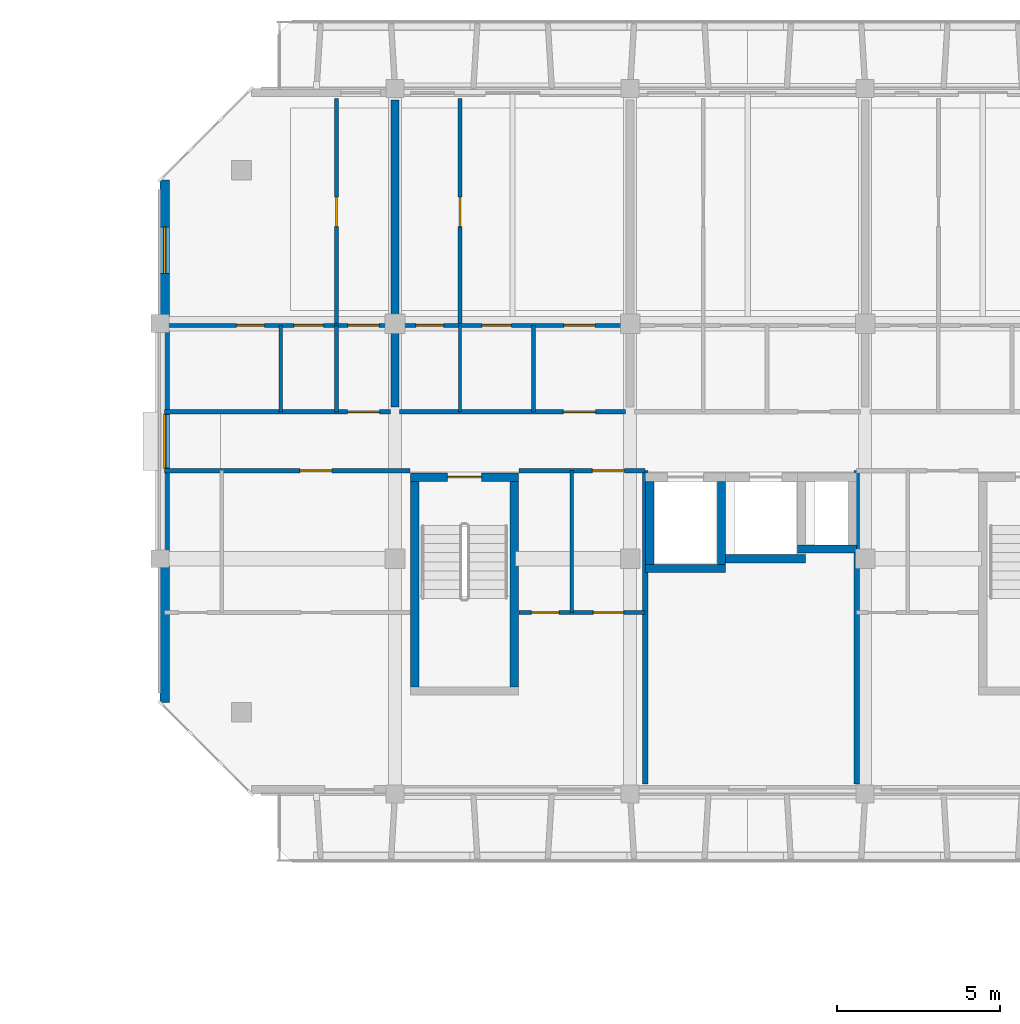
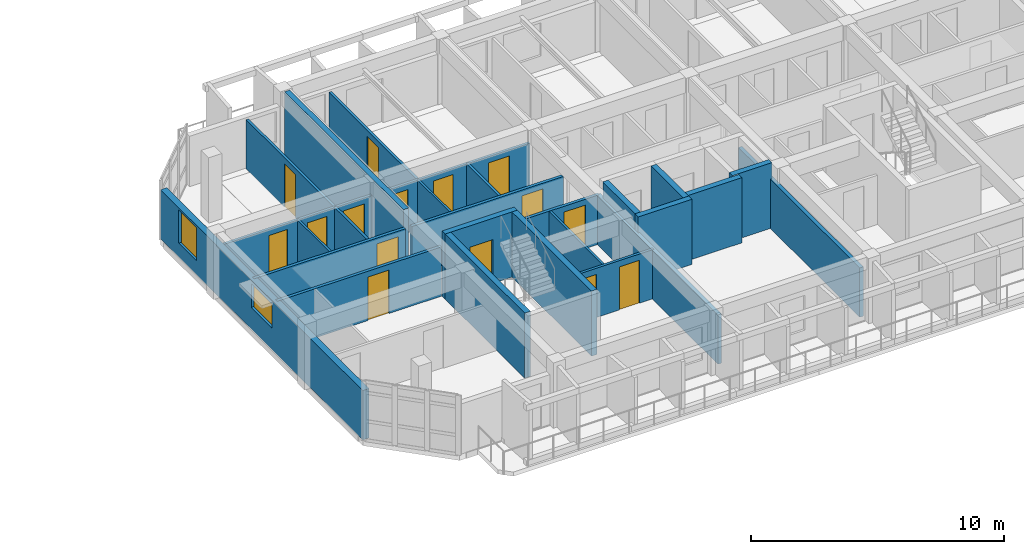
# One storey, part 44 of 64: 26 walls, 15 doors, 2 windows, 17 openings.
"""IFC4 building model written with IfcOpenShell, lengths in metres."""

import ifcopenshell
import ifcopenshell.guid

model = None  # the IFC model being written
_history = None  # IfcOwnerHistory: only IFC2X3 demands one
_inside = {}  # id of a spatial element -> (the spatial element, [elements in it])
_under = {}  # id of a project, library or spatial element -> (it, [spatial elements below it])
_declared = {}  # id of a project -> (the project, [libraries it declares])
_typed = {}  # id of a type object -> (the type object, [elements of that type])
_made_of = {}  # id of a material, layer set ... -> (it, [elements and type objects made of it])


def new_model(schema):
    """Start an empty IFC model of exactly this schema.

    Asked for "IFC4X3", IfcOpenShell would pick the latest addendum, in which some entities
    have other attributes; the version numbers below select the first issue.
    IFC2X3 requires an IfcOwnerHistory on every rooted entity: one is made here for all.
    """
    global model, _history
    if schema == "IFC4X3":
        model = ifcopenshell.file(schema_version=(4, 3, 0, 0))
    else:
        model = ifcopenshell.file(schema=schema)
    _inside.clear()
    _under.clear()
    _declared.clear()
    _typed.clear()
    _made_of.clear()
    _history = None
    if model.schema == "IFC2X3":
        org = make("IfcOrganization", Name="unknown")
        user = make(
            "IfcPersonAndOrganization",
            ThePerson=make("IfcPerson", FamilyName="unknown"),
            TheOrganization=org,
        )
        app = make(
            "IfcApplication",
            ApplicationDeveloper=org,
            Version="unknown",
            ApplicationFullName="unknown",
            ApplicationIdentifier="unknown",
        )
        _history = make(
            "IfcOwnerHistory",
            OwningUser=user,
            OwningApplication=app,
            ChangeAction="ADDED",
            CreationDate=0,
        )
    return model


def make(cls, **values):
    """One entity of the class cls with the attributes given. An attribute that is None is left unset."""
    return model.create_entity(
        cls, **{name: value for name, value in values.items() if value is not None}
    )


def rooted(cls, **values):
    """An entity with a GlobalId (a new one), such as an element, a storey or a relation."""
    return make(cls, GlobalId=ifcopenshell.guid.new(), OwnerHistory=_history, **values)


def si_unit(unit_type, name, prefix=None):
    """IfcSIUnit, for example si_unit("LENGTHUNIT", "METRE", prefix="MILLI")."""
    return make("IfcSIUnit", UnitType=unit_type, Prefix=prefix, Name=name)


def assignment(units):
    """IfcUnitAssignment: the units of a project."""
    return None if units is None else make("IfcUnitAssignment", Units=units)


def point(xyz):
    """IfcCartesianPoint."""
    return None if xyz is None else make("IfcCartesianPoint", Coordinates=xyz)


def direction(xyz):
    """IfcDirection."""
    return None if xyz is None else make("IfcDirection", DirectionRatios=xyz)


def frame(location, z_axis=None, x_axis=None):
    """IfcAxis2Placement3D, a coordinate frame: its origin and axes. An axis left out is left unset."""
    return make(
        "IfcAxis2Placement3D",
        Location=point(location),
        Axis=direction(z_axis),
        RefDirection=direction(x_axis),
    )


def frame_2d(location, x_axis=None):
    """IfcAxis2Placement2D, a coordinate frame in the plane: its origin and x axis."""
    return make(
        "IfcAxis2Placement2D", Location=point(location), RefDirection=direction(x_axis)
    )


def origin():
    """The frame at (0, 0, 0) with its axes left unset."""
    return frame((0.0, 0.0, 0.0))


def place(relative_to, where):
    """IfcLocalPlacement: puts the frame where relative to a parent placement (None: the world)."""
    return make(
        "IfcLocalPlacement", PlacementRelTo=relative_to, RelativePlacement=where
    )


def context(
    kind, dimensions, precision=None, world=None, true_north=None, identifier=None
):
    """IfcGeometricRepresentationContext, for example the 3D "Model" context."""
    return make(
        "IfcGeometricRepresentationContext",
        ContextIdentifier=identifier,
        ContextType=kind,
        CoordinateSpaceDimension=dimensions,
        Precision=precision,
        WorldCoordinateSystem=world,
        TrueNorth=true_north,
    )


def subcontext(parent, identifier, kind, view, scale=None):
    """IfcGeometricRepresentationSubContext, for example "Body" below "Model"."""
    return make(
        "IfcGeometricRepresentationSubContext",
        ContextIdentifier=identifier,
        ContextType=kind,
        ParentContext=parent,
        TargetScale=scale,
        TargetView=view,
    )


def project(units=None, contexts=None):
    """IfcProject with its units and contexts."""
    return rooted(
        "IfcProject",
        Name="project",
        RepresentationContexts=contexts,
        UnitsInContext=assignment(units),
    )


def spatial(cls, under=None, at=None, **own):
    """A site, building, storey or space (cls), placed at a placement, below another one or the project."""
    s = rooted(cls, ObjectPlacement=at, **own)
    if under is not None:
        _under.setdefault(under.id(), (under, []))[1].append(s)
    return s


def profile(cls, at=None, kind="AREA", **sizes):
    """A parametric profile (cls). Its sizes go by their IFC names, for example OverallWidth=200.0."""
    return make(cls, ProfileType=kind, Position=at, **sizes)


def rectangle(**sizes):
    """IfcRectangleProfileDef."""
    return profile("IfcRectangleProfileDef", **sizes)


def extrude(swept, where, along, depth):
    """IfcExtrudedAreaSolid: the profile swept, set in the frame where, extruded along a direction by depth."""
    return make(
        "IfcExtrudedAreaSolid",
        SweptArea=swept,
        Position=where,
        ExtrudedDirection=direction(along),
        Depth=depth,
    )


def shape(context_of_items, identifier, shape_type, items):
    """IfcShapeRepresentation: the items that make up one representation, for example the "Body"."""
    return make(
        "IfcShapeRepresentation",
        ContextOfItems=context_of_items,
        RepresentationIdentifier=identifier,
        RepresentationType=shape_type,
        Items=items,
    )


def material(Name=None, Category=None):
    """IfcMaterial."""
    return make("IfcMaterial", Name=Name, Category=Category)


def layer(
    of_material, thickness, ventilated=None, Name=None, Category=None, Priority=None
):
    """IfcMaterialLayer: one layer of a wall or slab, of a material (None: an air gap)."""
    return make(
        "IfcMaterialLayer",
        Material=of_material,
        LayerThickness=thickness,
        IsVentilated=ventilated,
        Name=Name,
        Category=Category,
        Priority=Priority,
    )


def layer_set(layers, Name=None):
    """IfcMaterialLayerSet."""
    return make("IfcMaterialLayerSet", MaterialLayers=layers, LayerSetName=Name)


def made_of(thing, what):
    """Note that an element or type object is made of a material, layer set ...; save() writes the relation."""
    if what is not None:
        _made_of.setdefault(what.id(), (what, []))[1].append(thing)
    return thing


def type_object(cls, material=None, **own):
    """A type object (cls), such as IfcWallType, which elements share."""
    return made_of(rooted(cls, **own), material)


def element(
    cls,
    number,
    at=None,
    inside=None,
    cuts=None,
    type_object=None,
    material=None,
    context=None,
    identifier="Body",
    shape_type=None,
    held_by="IfcProductDefinitionShape",
    body=None,
    shapes=None,
    **own,
):
    """One element of the class cls, such as IfcWall. Its Tag is "e" and its number.

    at: its placement. inside: the storey or other place that contains it. cuts: it is an
    opening in that element (IfcRelVoidsElement). A single representation is given by context,
    identifier, shape_type and body (its items); several are given by shapes. held_by: the class
    of the entity that holds the representations. save() writes the other relations.
    """
    e = rooted(cls, Tag="e%d" % number, ObjectPlacement=at, **own)
    if body is not None:
        shapes = [shape(context, identifier, shape_type, body)]
    if shapes is not None:
        e.Representation = make(held_by, Representations=shapes)
    if inside is not None:
        _inside.setdefault(inside.id(), (inside, []))[1].append(e)
    if cuts is not None:
        rooted(
            "IfcRelVoidsElement", RelatingBuildingElement=cuts, RelatedOpeningElement=e
        )
    if type_object is not None:
        _typed.setdefault(type_object.id(), (type_object, []))[1].append(e)
    return made_of(e, material)


def fill(opening, filler):
    """IfcRelFillsElement: the door or window that sits in an opening."""
    return rooted(
        "IfcRelFillsElement",
        RelatingOpeningElement=opening,
        RelatedBuildingElement=filler,
    )


def aggregate(whole, parts):
    """IfcRelAggregates: a whole, such as a stair, and the parts it consists of."""
    return rooted("IfcRelAggregates", RelatingObject=whole, RelatedObjects=parts)


def save(model, path):
    """Write the relations noted so far, then the file.

    IfcRelAggregates (storeys below a building ...), IfcRelContainedInSpatialStructure (elements
    in a storey), IfcRelDefinesByType, IfcRelAssociatesMaterial and IfcRelDeclares: one each for
    every whole, place, type object, material and project.
    """
    for whole, parts in _under.values():
        aggregate(whole, parts)
    for where, things in _inside.values():
        rooted(
            "IfcRelContainedInSpatialStructure",
            RelatedElements=things,
            RelatingStructure=where,
        )
    for kind, things in _typed.values():
        rooted("IfcRelDefinesByType", RelatedObjects=things, RelatingType=kind)
    for what, things in _made_of.values():
        rooted("IfcRelAssociatesMaterial", RelatedObjects=things, RelatingMaterial=what)
    for by, libraries in _declared.values():
        rooted("IfcRelDeclares", RelatingContext=by, RelatedDefinitions=libraries)
    model.write(path)


model = new_model("IFC4")

# Units and contexts
model_context = context("Model", 3, precision=1e-05, world=origin(), true_north=direction((0.0, 1.0)))
body_context = subcontext(model_context, "Body", "Model", "MODEL_VIEW")
ifc_project = project(units=[si_unit("LENGTHUNIT", "METRE"), si_unit("AREAUNIT", "SQUARE_METRE"), si_unit("VOLUMEUNIT", "CUBIC_METRE"), si_unit("PLANEANGLEUNIT", "RADIAN"), si_unit("MASSUNIT", "GRAM", prefix="KILO")], contexts=[model_context])

# Site, building, storey
site_placement = place(None, origin())
site = spatial("IfcSite", under=ifc_project, at=site_placement, CompositionType="ELEMENT")
building_placement = place(site_placement, origin())
building = spatial("IfcBuilding", under=site, at=building_placement, Name="Ochrevale Crest", CompositionType="ELEMENT")
storey_placement = place(building_placement, frame((0.0, 0.0, 8.699951171875)))
storey = spatial("IfcBuildingStorey", under=building, at=storey_placement, Name="L02", CompositionType="ELEMENT", Elevation=8.699951171875)

# Wall, opening, door
ifc_material_1 = material(Name="Gypsum plasterboard", Category="gypsum")
ifc_layer_1 = layer(ifc_material_1, 0.139892578125)
ifc_layer_set_1 = layer_set([ifc_layer_1], Name="Gypsum plasterboard")
wall_type_1 = type_object("IfcWallType", Name="WL-COR-140", PredefinedType="PARTITIONING", material=ifc_layer_set_1)
wall_1_placement = place(storey_placement, frame((129.739990234375, 83.699951171875, 0.0), z_axis=(0.0, 0.0, 1.0), x_axis=(1.0, 0.0, 0.0)))
wall_1 = element("IfcWall", 1, at=wall_1_placement, inside=storey, type_object=wall_type_1, Name="Apartment D-L02-U1 corridor wall", PredefinedType="PARTITIONING", context=body_context, shape_type="SweptSolid", body=[
    extrude(rectangle(XDim=6.919921875, YDim=0.139892578125, at=frame_2d((3.4599609375, 0.0))), origin(), (0.0, 0.0, 1.0), 2.380126953125),
])
opening_1_placement = place(wall_1_placement, frame((6.5849609375, 0.0, 0.0), z_axis=(0.0, 0.0, 1.0), x_axis=(-1.0, 0.0, 0.0)))
opening_1 = element("IfcOpeningElement", 2, at=opening_1_placement, cuts=wall_1, Name="Opening FD01", PredefinedType="OPENING", context=body_context, shape_type="SweptSolid", body=[
    extrude(rectangle(XDim=0.97998046875, YDim=2.10009765625, at=frame_2d((0.489990234375, 1.050048828125))), frame((0.0, 0.080078125, 0.0), z_axis=(0.0, -1.0, 0.0), x_axis=(1.0, 0.0, 0.0)), (0.0, 0.0, 1.0), 0.159912109375),
])
ifc_material_2 = material(Name="Solid-core FSC hardwood", Category="wood")
door_type_1 = type_object("IfcDoorType", Name="DR-APT-950", OperationType="NOTDEFINED", PredefinedType="DOOR", material=ifc_material_2)
door_1_placement = place(opening_1_placement, origin())
door_1 = element("IfcDoor", 3, at=door_1_placement, inside=storey, type_object=door_type_1, Name="Apartment D-L02-U1 entrance door", OperationType="SINGLE_SWING_RIGHT", OverallHeight=2.10009765625, OverallWidth=0.97998046875, PredefinedType="DOOR", context=body_context, shape_type="SweptSolid", body=[
    extrude(rectangle(XDim=0.97998046875, YDim=2.10009765625, at=frame_2d((0.489990234375, 1.050048828125))), frame((0.0, 0.02490234375, 0.0), z_axis=(0.0, -1.0, 0.0), x_axis=(1.0, 0.0, 0.0)), (0.0, 0.0, 1.0), 0.050048828125),
])
fill(opening_1, door_1)

wall_2_placement = place(storey_placement, frame((136.93994140625, 83.699951171875, 0.0), z_axis=(0.0, 0.0, 1.0), x_axis=(1.0, 0.0, 0.0)))
wall_2 = element("IfcWall", 4, at=wall_2_placement, inside=storey, type_object=wall_type_1, Name="Apartment D-L02-U2 corridor wall", PredefinedType="PARTITIONING", context=body_context, shape_type="SweptSolid", body=[
    extrude(rectangle(XDim=6.920166015625, YDim=0.139892578125, at=frame_2d((3.4599609375, 0.0))), origin(), (0.0, 0.0, 1.0), 2.380126953125),
])
opening_2_placement = place(wall_2_placement, frame((5.02001953125, 0.0, 0.0)))
opening_2 = element("IfcOpeningElement", 5, at=opening_2_placement, cuts=wall_2, Name="Opening FD01", PredefinedType="OPENING", context=body_context, shape_type="SweptSolid", body=[
    extrude(rectangle(XDim=0.97998046875, YDim=2.10009765625, at=frame_2d((0.489990234375, 1.050048828125))), frame((0.0, 0.080078125, 0.0), z_axis=(0.0, -1.0, 0.0), x_axis=(1.0, 0.0, 0.0)), (0.0, 0.0, 1.0), 0.159912109375),
])
door_2_placement = place(opening_2_placement, origin())
door_2 = element("IfcDoor", 6, at=door_2_placement, inside=storey, type_object=door_type_1, Name="Apartment D-L02-U2 entrance door", OperationType="SINGLE_SWING_LEFT", OverallHeight=2.10009765625, OverallWidth=0.97998046875, PredefinedType="DOOR", context=body_context, shape_type="SweptSolid", body=[
    extrude(rectangle(XDim=0.97998046875, YDim=2.10009765625, at=frame_2d((0.489990234375, 1.050048828125))), frame((0.0, 0.02490234375, 0.0), z_axis=(0.0, -1.0, 0.0), x_axis=(1.0, 0.0, 0.0)), (0.0, 0.0, 1.0), 0.050048828125),
])
fill(opening_2, door_2)

wall_3_placement = place(storey_placement, frame((129.739990234375, 81.89990234375, 0.0), z_axis=(0.0, 0.0, 1.0), x_axis=(1.0, 0.0, 0.0)))
wall_3 = element("IfcWall", 7, at=wall_3_placement, inside=storey, type_object=wall_type_1, Name="Suite D-L02-CW corridor wall", PredefinedType="PARTITIONING", context=body_context, shape_type="SweptSolid", body=[
    extrude(rectangle(XDim=7.52001953125, YDim=0.139892578125, at=frame_2d((3.760009765625, 0.0))), origin(), (0.0, 0.0, 1.0), 2.380126953125),
])
opening_3_placement = place(wall_3_placement, frame((5.125, 0.0, 0.0), z_axis=(0.0, 0.0, 1.0), x_axis=(-1.0, 0.0, 0.0)))
opening_3 = element("IfcOpeningElement", 8, at=opening_3_placement, cuts=wall_3, Name="Opening FD01", PredefinedType="OPENING", context=body_context, shape_type="SweptSolid", body=[
    extrude(rectangle(XDim=0.97998046875, YDim=2.10009765625, at=frame_2d((0.489990234375, 1.050048828125))), frame((0.0, 0.080078125, 0.0), z_axis=(0.0, -1.0, 0.0), x_axis=(1.0, 0.0, 0.0)), (0.0, 0.0, 1.0), 0.159912109375),
])
door_3_placement = place(opening_3_placement, origin())
door_3 = element("IfcDoor", 9, at=door_3_placement, inside=storey, type_object=door_type_1, Name="Suite D-L02-CW entrance door", OperationType="SINGLE_SWING_RIGHT", OverallHeight=2.10009765625, OverallWidth=0.97998046875, PredefinedType="DOOR", context=body_context, shape_type="SweptSolid", body=[
    extrude(rectangle(XDim=0.97998046875, YDim=2.10009765625, at=frame_2d((0.489990234375, 1.050048828125))), frame((0.0, 0.02490234375, 0.0), z_axis=(0.0, -1.0, 0.0), x_axis=(1.0, 0.0, 0.0)), (0.0, 0.0, 1.0), 0.050048828125),
])
fill(opening_3, door_3)

wall_4_placement = place(storey_placement, frame((140.590087890625, 81.89990234375, 0.0), z_axis=(0.0, 0.0, 1.0), x_axis=(1.0, 0.0, 0.0)))
wall_4 = element("IfcWall", 10, at=wall_4_placement, inside=storey, type_object=wall_type_1, Name="Suite D-L02-MW corridor wall", PredefinedType="PARTITIONING", context=body_context, shape_type="SweptSolid", body=[
    extrude(rectangle(XDim=3.869873046875, YDim=0.139892578125, at=frame_2d((1.93505859375, 0.0))), origin(), (0.0, 0.0, 1.0), 2.380126953125),
])
opening_4_placement = place(wall_4_placement, frame((2.2578125, 0.0, 0.0)))
opening_4 = element("IfcOpeningElement", 11, at=opening_4_placement, cuts=wall_4, Name="Opening FD01", PredefinedType="OPENING", context=body_context, shape_type="SweptSolid", body=[
    extrude(rectangle(XDim=0.97998046875, YDim=2.10009765625, at=frame_2d((0.489990234375, 1.050048828125))), frame((0.0, 0.080078125, 0.0), z_axis=(0.0, -1.0, 0.0), x_axis=(1.0, 0.0, 0.0)), (0.0, 0.0, 1.0), 0.159912109375),
])
door_4_placement = place(opening_4_placement, origin())
door_4 = element("IfcDoor", 12, at=door_4_placement, inside=storey, type_object=door_type_1, Name="Suite D-L02-MW entrance door", OperationType="SINGLE_SWING_LEFT", OverallHeight=2.10009765625, OverallWidth=0.97998046875, PredefinedType="DOOR", context=body_context, shape_type="SweptSolid", body=[
    extrude(rectangle(XDim=0.97998046875, YDim=2.10009765625, at=frame_2d((0.489990234375, 1.050048828125))), frame((0.0, 0.02490234375, 0.0), z_axis=(0.0, -1.0, 0.0), x_axis=(1.0, 0.0, 0.0)), (0.0, 0.0, 1.0), 0.050048828125),
])
fill(opening_4, door_4)

ifc_material_3 = material(Name="Precast concrete C50/60", Category="concrete")
ifc_layer_2 = layer(ifc_material_3, 0.2548828125)
ifc_layer_set_2 = layer_set([ifc_layer_2], Name="Precast concrete C50/60")
wall_type_2 = type_object("IfcWallType", Name="WL-CORE-255", PredefinedType="SHEAR", material=ifc_layer_set_2)
wall_5_placement = place(storey_placement, frame((137.2724609375, 81.699951171875, 0.0), z_axis=(0.0, 0.0, 1.0), x_axis=(1.0, 0.0, 0.0)))
wall_5 = element("IfcWall", 13, at=wall_5_placement, inside=storey, type_object=wall_type_2, Name="Block D L02 Stair 1 precast core shear wall N", PredefinedType="SHEAR", context=body_context, shape_type="SweptSolid", body=[
    extrude(rectangle(XDim=3.304931640625, YDim=0.2548828125, at=frame_2d((1.65234375, 0.0))), origin(), (0.0, 0.0, 1.0), 3.150146484375),
])
opening_5_placement = place(wall_5_placement, frame((2.177490234375, 0.0, 0.0), z_axis=(0.0, 0.0, 1.0), x_axis=(-1.0, 0.0, 0.0)))
opening_5 = element("IfcOpeningElement", 14, at=opening_5_placement, cuts=wall_5, Name="Opening FD03", PredefinedType="OPENING", context=body_context, shape_type="SweptSolid", body=[
    extrude(rectangle(XDim=1.050048828125, YDim=2.1201171875, at=frame_2d((0.52490234375, 1.06005859375))), frame((0.0, 0.137451171875, 0.0), z_axis=(0.0, -1.0, 0.0), x_axis=(1.0, 0.0, 0.0)), (0.0, 0.0, 1.0), 0.27490234375),
])
door_type_2 = type_object("IfcDoorType", Name="DR-ST-1050", OperationType="NOTDEFINED", PredefinedType="DOOR", material=ifc_material_2)
door_5_placement = place(opening_5_placement, origin())
door_5 = element("IfcDoor", 15, at=door_5_placement, inside=storey, type_object=door_type_2, Name="Block D L02 fire stair 1 door", OperationType="SINGLE_SWING_RIGHT", OverallHeight=2.1201171875, OverallWidth=1.050048828125, PredefinedType="DOOR", context=body_context, shape_type="SweptSolid", body=[
    extrude(rectangle(XDim=1.050048828125, YDim=2.1201171875, at=frame_2d((0.52490234375, 1.06005859375))), frame((0.0, 0.02490234375, 0.0), z_axis=(0.0, -1.0, 0.0), x_axis=(1.0, 0.0, 0.0)), (0.0, 0.0, 1.0), 0.050048828125),
])
fill(opening_5, door_5)

# Walls
for number, where, z_axis, x_axis, name in (
    (16, (137.39990234375, 75.277587890625, 0.0), (0.0, 0.0, 1.0), (0.0, 1.0, 0.0), "Block D L02 Stair 1 precast core shear wall W"),
    (17, (140.449951171875, 75.277587890625, 0.0), (0.0, 0.0, 1.0), (0.0, 1.0, 0.0), "Block D L02 Stair 1 precast core shear wall E"),
):
    element("IfcWall", number, at=place(storey_placement, frame(where, z_axis=z_axis, x_axis=x_axis)), inside=storey, type_object=wall_type_2, Name=name, PredefinedType="SHEAR", context=body_context, shape_type="SweptSolid", body=[
        extrude(rectangle(XDim=6.294921875, YDim=0.2548828125, at=frame_2d((3.1474609375, 0.0))), origin(), (0.0, 0.0, 1.0), 3.150146484375),
    ])
wall_6_placement = place(storey_placement, frame((144.472412109375, 78.89990234375, 0.0), z_axis=(0.0, 0.0, 1.0), x_axis=(1.0, 0.0, 0.0)))
element("IfcWall", 18, at=wall_6_placement, inside=storey, type_object=wall_type_2, Name="Block D L02 Lift 1 precast shaft shear wall S", PredefinedType="SHEAR", context=body_context, shape_type="SweptSolid", body=[
    extrude(rectangle(XDim=2.455078125, YDim=0.2548828125, at=frame_2d((1.2275390625, 0.0))), origin(), (0.0, 0.0, 1.0), 3.150146484375),
])
for number, where, z_axis, x_axis, name in (
    (19, (144.60009765625, 79.027587890625, 0.0), (0.0, 0.0, 1.0), (0.0, 1.0, 0.0), "Block D L02 Lift 1 precast shaft shear wall W"),
    (20, (146.800048828125, 79.027587890625, 0.0), (0.0, 0.0, 1.0), (0.0, 1.0, 0.0), "Block D L02 Lift 1 precast shaft shear wall E"),
):
    element("IfcWall", number, at=place(storey_placement, frame(where, z_axis=z_axis, x_axis=x_axis)), inside=storey, type_object=wall_type_2, Name=name, PredefinedType="SHEAR", context=body_context, shape_type="SweptSolid", body=[
        extrude(rectangle(XDim=2.544921875, YDim=0.2548828125, at=frame_2d((1.2724609375, 0.0))), origin(), (0.0, 0.0, 1.0), 3.150146484375),
    ])
wall_7_placement = place(storey_placement, frame((146.922607421875, 79.199951171875, 0.0), z_axis=(0.0, 0.0, 1.0), x_axis=(1.0, 0.0, 0.0)))
element("IfcWall", 21, at=wall_7_placement, inside=storey, type_object=wall_type_2, Name="Block D L02 Lift 2 precast shaft shear wall S", PredefinedType="SHEAR", context=body_context, shape_type="SweptSolid", body=[
    extrude(rectangle(XDim=2.454833984375, YDim=0.2548828125, at=frame_2d((1.2275390625, 0.0))), origin(), (0.0, 0.0, 1.0), 3.150146484375),
])
wall_8_placement = place(storey_placement, frame((149.12255859375, 79.5, 0.0), z_axis=(0.0, 0.0, 1.0), x_axis=(1.0, 0.0, 0.0)))
element("IfcWall", 22, at=wall_8_placement, inside=storey, type_object=wall_type_2, Name="Block D L02 services riser shaft core wall S", PredefinedType="SHEAR", context=body_context, shape_type="SweptSolid", body=[
    extrude(rectangle(XDim=1.804931640625, YDim=0.2548828125, at=frame_2d((0.90234375, 0.0))), origin(), (0.0, 0.0, 1.0), 3.150146484375),
])

# Wall, openings, windows
ifc_material_4 = material(Name="Clay face brickwork", Category="masonry")
ifc_layer_3 = layer(ifc_material_4, 0.2900390625)
ifc_layer_set_3 = layer_set([ifc_layer_3], Name="Clay face brickwork")
wall_type_3 = type_object("IfcWallType", Name="WL-EXT-BRICK-290", PredefinedType="SOLIDWALL", material=ifc_layer_set_3)
wall_9_placement = place(storey_placement, frame((129.7451171875, 90.800048828125, 0.0), z_axis=(0.0, 0.0, 1.0), x_axis=(0.0, -1.0, 0.0)))
wall_9 = element("IfcWall", 23, at=wall_9_placement, inside=storey, type_object=wall_type_3, Name="Block D L02 external facade wall E7", PredefinedType="SOLIDWALL", context=body_context, shape_type="SweptSolid", body=[
    extrude(rectangle(XDim=16.0, YDim=0.2900390625, at=frame_2d((8.0, 0.0))), origin(), (0.0, 0.0, 1.0), 2.380126953125),
])
opening_6_placement = place(wall_9_placement, frame((7.175048828125, 0.0, 1.050048828125)))
opening_6 = element("IfcOpeningElement", 24, at=opening_6_placement, cuts=wall_9, Name="Opening W19", PredefinedType="OPENING", context=body_context, shape_type="SweptSolid", body=[
    extrude(rectangle(XDim=1.64990234375, YDim=1.14990234375, at=frame_2d((0.824951171875, 0.574951171875))), frame((0.0, 0.155029296875, 0.0), z_axis=(0.0, -1.0, 0.0), x_axis=(1.0, 0.0, 0.0)), (0.0, 0.0, 1.0), 0.31005859375),
])
opening_7_placement = place(wall_9_placement, frame((1.4375, 0.0, 0.669921875)))
opening_7 = element("IfcOpeningElement", 25, at=opening_7_placement, cuts=wall_9, Name="Opening W31", PredefinedType="OPENING", context=body_context, shape_type="SweptSolid", body=[
    extrude(rectangle(XDim=1.419921875, YDim=1.60009765625, at=frame_2d((0.7099609375, 0.800048828125))), frame((0.0, 0.155029296875, 0.0), z_axis=(0.0, -1.0, 0.0), x_axis=(1.0, 0.0, 0.0)), (0.0, 0.0, 1.0), 0.31005859375),
])
ifc_material_5 = material(Name="Anodised aluminium 6063-T5 and low-E double glazing", Category="aluminium")
window_type_1 = type_object("IfcWindowType", Name="WIN-W19", PartitioningType="SINGLE_PANEL", PredefinedType="WINDOW", material=ifc_material_5)
window_1_placement = place(opening_6_placement, origin())
window_1 = element("IfcWindow", 26, at=window_1_placement, inside=storey, type_object=window_type_1, Name="Block D L02 corridor end daylight window W", OverallHeight=1.14990234375, OverallWidth=1.64990234375, PartitioningType="SINGLE_PANEL", PredefinedType="WINDOW", context=body_context, shape_type="SweptSolid", body=[
    extrude(rectangle(XDim=1.64990234375, YDim=1.14990234375, at=frame_2d((0.824951171875, 0.574951171875))), frame((0.0, 0.030029296875, 0.0), z_axis=(0.0, -1.0, 0.0), x_axis=(1.0, 0.0, 0.0)), (0.0, 0.0, 1.0), 0.06005859375),
])
fill(opening_6, window_1)
window_type_2 = type_object("IfcWindowType", Name="WIN-W31", PartitioningType="SINGLE_PANEL", PredefinedType="WINDOW", material=ifc_material_5)
window_2_placement = place(opening_7_placement, origin())
window_2 = element("IfcWindow", 27, at=window_2_placement, inside=storey, type_object=window_type_2, Name="Block D L02 side suite window W", OverallHeight=1.60009765625, OverallWidth=1.419921875, PartitioningType="SINGLE_PANEL", PredefinedType="WINDOW", context=body_context, shape_type="SweptSolid", body=[
    extrude(rectangle(XDim=1.419921875, YDim=1.60009765625, at=frame_2d((0.7099609375, 0.800048828125))), frame((0.0, 0.030029296875, 0.0), z_axis=(0.0, -1.0, 0.0), x_axis=(1.0, 0.0, 0.0)), (0.0, 0.0, 1.0), 0.06005859375),
])
fill(opening_7, window_2)

# Wall
ifc_layer_4 = layer(ifc_material_1, 0.1201171875)
ifc_layer_set_4 = layer_set([ifc_layer_4], Name="Gypsum plasterboard")
wall_type_4 = type_object("IfcWallType", Name="WL-PART-120", PredefinedType="PARTITIONING", material=ifc_layer_set_4)
wall_10_placement = place(storey_placement, frame((135.010009765625, 83.699951171875, 0.0), z_axis=(0.0, 0.0, 1.0), x_axis=(0.0, 1.0, 0.0)))
element("IfcWall", 28, at=wall_10_placement, inside=storey, type_object=wall_type_4, Name="Apartment D-L02-U1 kitchen-foyer wall", PredefinedType="PARTITIONING", context=body_context, shape_type="SweptSolid", body=[
    extrude(rectangle(XDim=2.650146484375, YDim=0.1201171875, at=frame_2d((1.3251953125, 0.0))), origin(), (0.0, 0.0, 1.0), 2.375),
])

# Wall, openings, doors
wall_11_placement = place(storey_placement, frame((129.739990234375, 86.35009765625, 0.0), z_axis=(0.0, 0.0, 1.0), x_axis=(1.0, 0.0, 0.0)))
wall_11 = element("IfcWall", 29, at=wall_11_placement, inside=storey, type_object=wall_type_4, Name="Apartment D-L02-U1 central partition", PredefinedType="PARTITIONING", context=body_context, shape_type="SweptSolid", body=[
    extrude(rectangle(XDim=6.919921875, YDim=0.1201171875, at=frame_2d((3.4599609375, 0.0))), origin(), (0.0, 0.0, 1.0), 2.375),
])
opening_8_placement = place(wall_11_placement, frame((2.2099609375, 0.0, 0.0)))
opening_8 = element("IfcOpeningElement", 30, at=opening_8_placement, cuts=wall_11, Name="Opening ID01", PredefinedType="OPENING", context=body_context, shape_type="SweptSolid", body=[
    extrude(rectangle(XDim=0.85009765625, YDim=2.080078125, at=frame_2d((0.425048828125, 1.0400390625))), frame((0.0, 0.070068359375, 0.0), z_axis=(0.0, -1.0, 0.0), x_axis=(1.0, 0.0, 0.0)), (0.0, 0.0, 1.0), 0.14013671875),
])
opening_9_placement = place(wall_11_placement, frame((4.864990234375, 0.0, 0.0), z_axis=(0.0, 0.0, 1.0), x_axis=(-1.0, 0.0, 0.0)))
opening_9 = element("IfcOpeningElement", 31, at=opening_9_placement, cuts=wall_11, Name="Opening ID02", PredefinedType="OPENING", context=body_context, shape_type="SweptSolid", body=[
    extrude(rectangle(XDim=0.89990234375, YDim=2.080078125, at=frame_2d((0.449951171875, 1.0400390625))), frame((0.0, 0.070068359375, 0.0), z_axis=(0.0, -1.0, 0.0), x_axis=(1.0, 0.0, 0.0)), (0.0, 0.0, 1.0), 0.14013671875),
])
opening_10_placement = place(wall_11_placement, frame((5.6201171875, 0.0, 0.0)))
opening_10 = element("IfcOpeningElement", 32, at=opening_10_placement, cuts=wall_11, Name="Opening ID06", PredefinedType="OPENING", context=body_context, shape_type="SweptSolid", body=[
    extrude(rectangle(XDim=0.949951171875, YDim=2.080078125, at=frame_2d((0.47509765625, 1.0400390625))), frame((0.0, 0.070068359375, 0.0), z_axis=(0.0, -1.0, 0.0), x_axis=(1.0, 0.0, 0.0)), (0.0, 0.0, 1.0), 0.14013671875),
])
door_type_3 = type_object("IfcDoorType", Name="DR-INT-900", OperationType="NOTDEFINED", PredefinedType="DOOR", material=ifc_material_2)
door_6_placement = place(opening_9_placement, origin())
door_6 = element("IfcDoor", 33, at=door_6_placement, inside=storey, type_object=door_type_3, Name="Apartment D-L02-U1 Kitchen door", OperationType="SINGLE_SWING_RIGHT", OverallHeight=2.080078125, OverallWidth=0.89990234375, PredefinedType="DOOR", context=body_context, shape_type="SweptSolid", body=[
    extrude(rectangle(XDim=0.89990234375, YDim=2.080078125, at=frame_2d((0.449951171875, 1.0400390625))), frame((0.0, 0.02490234375, 0.0), z_axis=(0.0, -1.0, 0.0), x_axis=(1.0, 0.0, 0.0)), (0.0, 0.0, 1.0), 0.050048828125),
])
fill(opening_9, door_6)
door_type_4 = type_object("IfcDoorType", Name="DR-INT-950", OperationType="NOTDEFINED", PredefinedType="DOOR", material=ifc_material_2)
door_7_placement = place(opening_10_placement, origin())
door_7 = element("IfcDoor", 34, at=door_7_placement, inside=storey, type_object=door_type_4, Name="Apartment D-L02-U1 Living Foyer door", OperationType="SINGLE_SWING_LEFT", OverallHeight=2.080078125, OverallWidth=0.949951171875, PredefinedType="DOOR", context=body_context, shape_type="SweptSolid", body=[
    extrude(rectangle(XDim=0.949951171875, YDim=2.080078125, at=frame_2d((0.47509765625, 1.0400390625))), frame((0.0, 0.02490234375, 0.0), z_axis=(0.0, -1.0, 0.0), x_axis=(1.0, 0.0, 0.0)), (0.0, 0.0, 1.0), 0.050048828125),
])
fill(opening_10, door_7)
door_type_5 = type_object("IfcDoorType", Name="DR-WC-850", OperationType="NOTDEFINED", PredefinedType="DOOR", material=ifc_material_2)
door_8_placement = place(opening_8_placement, origin())
door_8 = element("IfcDoor", 35, at=door_8_placement, inside=storey, type_object=door_type_5, Name="Apartment D-L02-U1 Bathroom door", OperationType="SINGLE_SWING_LEFT", OverallHeight=2.080078125, OverallWidth=0.85009765625, PredefinedType="DOOR", context=body_context, shape_type="SweptSolid", body=[
    extrude(rectangle(XDim=0.85009765625, YDim=2.080078125, at=frame_2d((0.425048828125, 1.0400390625))), frame((0.0, 0.02490234375, 0.0), z_axis=(0.0, -1.0, 0.0), x_axis=(1.0, 0.0, 0.0)), (0.0, 0.0, 1.0), 0.050048828125),
])
fill(opening_8, door_8)

# Wall, opening, door
wall_12_placement = place(storey_placement, frame((135.010009765625, 86.35009765625, 0.0), z_axis=(0.0, 0.0, 1.0), x_axis=(0.0, 1.0, 0.0)))
wall_12 = element("IfcWall", 36, at=wall_12_placement, inside=storey, type_object=wall_type_4, Name="Apartment D-L02-U1 bedroom partition", PredefinedType="PARTITIONING", context=body_context, shape_type="SweptSolid", body=[
    extrude(rectangle(XDim=6.949951171875, YDim=0.1201171875, at=frame_2d((3.47509765625, 0.0))), origin(), (0.0, 0.0, 1.0), 2.375),
])
opening_11_placement = place(wall_12_placement, frame((3.9248046875, 0.0, 0.0), z_axis=(0.0, 0.0, 1.0), x_axis=(-1.0, 0.0, 0.0)))
opening_11 = element("IfcOpeningElement", 37, at=opening_11_placement, cuts=wall_12, Name="Opening ID02", PredefinedType="OPENING", context=body_context, shape_type="SweptSolid", body=[
    extrude(rectangle(XDim=0.89990234375, YDim=2.080078125, at=frame_2d((0.449951171875, 1.0400390625))), frame((0.0, 0.070068359375, 0.0), z_axis=(0.0, -1.0, 0.0), x_axis=(1.0, 0.0, 0.0)), (0.0, 0.0, 1.0), 0.14013671875),
])
door_9_placement = place(opening_11_placement, origin())
door_9 = element("IfcDoor", 38, at=door_9_placement, inside=storey, type_object=door_type_3, Name="Apartment D-L02-U1 Double Bedroom door", OperationType="SINGLE_SWING_RIGHT", OverallHeight=2.080078125, OverallWidth=0.89990234375, PredefinedType="DOOR", context=body_context, shape_type="SweptSolid", body=[
    extrude(rectangle(XDim=0.89990234375, YDim=2.080078125, at=frame_2d((0.449951171875, 1.0400390625))), frame((0.0, 0.02490234375, 0.0), z_axis=(0.0, -1.0, 0.0), x_axis=(1.0, 0.0, 0.0)), (0.0, 0.0, 1.0), 0.050048828125),
])
fill(opening_11, door_9)

# Wall
wall_13_placement = place(storey_placement, frame((141.0400390625, 83.699951171875, 0.0), z_axis=(0.0, 0.0, 1.0), x_axis=(0.0, 1.0, 0.0)))
element("IfcWall", 39, at=wall_13_placement, inside=storey, type_object=wall_type_4, Name="Apartment D-L02-U2 kitchen-foyer wall", PredefinedType="PARTITIONING", context=body_context, shape_type="SweptSolid", body=[
    extrude(rectangle(XDim=2.650146484375, YDim=0.1201171875, at=frame_2d((1.3251953125, 0.0))), origin(), (0.0, 0.0, 1.0), 2.375),
])

# Wall, openings, doors
wall_14_placement = place(storey_placement, frame((136.93994140625, 86.35009765625, 0.0), z_axis=(0.0, 0.0, 1.0), x_axis=(1.0, 0.0, 0.0)))
wall_14 = element("IfcWall", 40, at=wall_14_placement, inside=storey, type_object=wall_type_4, Name="Apartment D-L02-U2 central partition", PredefinedType="PARTITIONING", context=body_context, shape_type="SweptSolid", body=[
    extrude(rectangle(XDim=6.920166015625, YDim=0.1201171875, at=frame_2d((3.4599609375, 0.0))), origin(), (0.0, 0.0, 1.0), 2.375),
])
opening_12_placement = place(wall_14_placement, frame((1.35009765625, 0.0, 0.0), z_axis=(0.0, 0.0, 1.0), x_axis=(-1.0, 0.0, 0.0)))
opening_12 = element("IfcOpeningElement", 41, at=opening_12_placement, cuts=wall_14, Name="Opening ID01", PredefinedType="OPENING", context=body_context, shape_type="SweptSolid", body=[
    extrude(rectangle(XDim=0.85009765625, YDim=2.080078125, at=frame_2d((0.425048828125, 1.0400390625))), frame((0.0, 0.070068359375, 0.0), z_axis=(0.0, -1.0, 0.0), x_axis=(1.0, 0.0, 0.0)), (0.0, 0.0, 1.0), 0.14013671875),
])
opening_13_placement = place(wall_14_placement, frame((2.52490234375, 0.0, 0.0)))
opening_13 = element("IfcOpeningElement", 42, at=opening_13_placement, cuts=wall_14, Name="Opening ID02", PredefinedType="OPENING", context=body_context, shape_type="SweptSolid", body=[
    extrude(rectangle(XDim=0.89990234375, YDim=2.080078125, at=frame_2d((0.449951171875, 1.0400390625))), frame((0.0, 0.070068359375, 0.0), z_axis=(0.0, -1.0, 0.0), x_axis=(1.0, 0.0, 0.0)), (0.0, 0.0, 1.0), 0.14013671875),
])
opening_14_placement = place(wall_14_placement, frame((5.98486328125, 0.0, 0.0), z_axis=(0.0, 0.0, 1.0), x_axis=(-1.0, 0.0, 0.0)))
opening_14 = element("IfcOpeningElement", 43, at=opening_14_placement, cuts=wall_14, Name="Opening ID06", PredefinedType="OPENING", context=body_context, shape_type="SweptSolid", body=[
    extrude(rectangle(XDim=0.949951171875, YDim=2.080078125, at=frame_2d((0.47509765625, 1.0400390625))), frame((0.0, 0.070068359375, 0.0), z_axis=(0.0, -1.0, 0.0), x_axis=(1.0, 0.0, 0.0)), (0.0, 0.0, 1.0), 0.14013671875),
])
door_10_placement = place(opening_13_placement, origin())
door_10 = element("IfcDoor", 44, at=door_10_placement, inside=storey, type_object=door_type_3, Name="Apartment D-L02-U2 Kitchen door", OperationType="SINGLE_SWING_LEFT", OverallHeight=2.080078125, OverallWidth=0.89990234375, PredefinedType="DOOR", context=body_context, shape_type="SweptSolid", body=[
    extrude(rectangle(XDim=0.89990234375, YDim=2.080078125, at=frame_2d((0.449951171875, 1.0400390625))), frame((0.0, 0.02490234375, 0.0), z_axis=(0.0, -1.0, 0.0), x_axis=(1.0, 0.0, 0.0)), (0.0, 0.0, 1.0), 0.050048828125),
])
fill(opening_13, door_10)
door_11_placement = place(opening_14_placement, origin())
door_11 = element("IfcDoor", 45, at=door_11_placement, inside=storey, type_object=door_type_4, Name="Apartment D-L02-U2 Living Foyer door", OperationType="SINGLE_SWING_RIGHT", OverallHeight=2.080078125, OverallWidth=0.949951171875, PredefinedType="DOOR", context=body_context, shape_type="SweptSolid", body=[
    extrude(rectangle(XDim=0.949951171875, YDim=2.080078125, at=frame_2d((0.47509765625, 1.0400390625))), frame((0.0, 0.02490234375, 0.0), z_axis=(0.0, -1.0, 0.0), x_axis=(1.0, 0.0, 0.0)), (0.0, 0.0, 1.0), 0.050048828125),
])
fill(opening_14, door_11)
door_12_placement = place(opening_12_placement, origin())
door_12 = element("IfcDoor", 46, at=door_12_placement, inside=storey, type_object=door_type_5, Name="Apartment D-L02-U2 Bathroom door", OperationType="SINGLE_SWING_RIGHT", OverallHeight=2.080078125, OverallWidth=0.85009765625, PredefinedType="DOOR", context=body_context, shape_type="SweptSolid", body=[
    extrude(rectangle(XDim=0.85009765625, YDim=2.080078125, at=frame_2d((0.425048828125, 1.0400390625))), frame((0.0, 0.02490234375, 0.0), z_axis=(0.0, -1.0, 0.0), x_axis=(1.0, 0.0, 0.0)), (0.0, 0.0, 1.0), 0.050048828125),
])
fill(opening_12, door_12)

# Wall, opening, door
wall_15_placement = place(storey_placement, frame((138.7900390625, 86.35009765625, 0.0), z_axis=(0.0, 0.0, 1.0), x_axis=(0.0, 1.0, 0.0)))
wall_15 = element("IfcWall", 47, at=wall_15_placement, inside=storey, type_object=wall_type_4, Name="Apartment D-L02-U2 bedroom partition", PredefinedType="PARTITIONING", context=body_context, shape_type="SweptSolid", body=[
    extrude(rectangle(XDim=6.949951171875, YDim=0.1201171875, at=frame_2d((3.47509765625, 0.0))), origin(), (0.0, 0.0, 1.0), 2.375),
])
opening_15_placement = place(wall_15_placement, frame((3.02490234375, 0.0, 0.0)))
opening_15 = element("IfcOpeningElement", 48, at=opening_15_placement, cuts=wall_15, Name="Opening ID02", PredefinedType="OPENING", context=body_context, shape_type="SweptSolid", body=[
    extrude(rectangle(XDim=0.89990234375, YDim=2.080078125, at=frame_2d((0.449951171875, 1.0400390625))), frame((0.0, 0.070068359375, 0.0), z_axis=(0.0, -1.0, 0.0), x_axis=(1.0, 0.0, 0.0)), (0.0, 0.0, 1.0), 0.14013671875),
])
door_13_placement = place(opening_15_placement, origin())
door_13 = element("IfcDoor", 49, at=door_13_placement, inside=storey, type_object=door_type_3, Name="Apartment D-L02-U2 Master Bedroom door", OperationType="SINGLE_SWING_LEFT", OverallHeight=2.080078125, OverallWidth=0.89990234375, PredefinedType="DOOR", context=body_context, shape_type="SweptSolid", body=[
    extrude(rectangle(XDim=0.89990234375, YDim=2.080078125, at=frame_2d((0.449951171875, 1.0400390625))), frame((0.0, 0.02490234375, 0.0), z_axis=(0.0, -1.0, 0.0), x_axis=(1.0, 0.0, 0.0)), (0.0, 0.0, 1.0), 0.050048828125),
])
fill(opening_15, door_13)

# Wall, openings, doors
wall_16_placement = place(storey_placement, frame((140.590087890625, 77.550048828125, 0.0), z_axis=(0.0, 0.0, 1.0), x_axis=(1.0, 0.0, 0.0)))
wall_16 = element("IfcWall", 50, at=wall_16_placement, inside=storey, type_object=wall_type_4, Name="Suite D-L02-MW internal wall", PredefinedType="PARTITIONING", context=body_context, shape_type="SweptSolid", body=[
    extrude(rectangle(XDim=3.869873046875, YDim=0.1201171875, at=frame_2d((1.93505859375, 0.0))), origin(), (0.0, 0.0, 1.0), 2.380126953125),
])
opening_16_placement = place(wall_16_placement, frame((1.23779296875, 0.0, 0.0), z_axis=(0.0, 0.0, 1.0), x_axis=(-1.0, 0.0, 0.0)))
opening_16 = element("IfcOpeningElement", 51, at=opening_16_placement, cuts=wall_16, Name="Opening ID01", PredefinedType="OPENING", context=body_context, shape_type="SweptSolid", body=[
    extrude(rectangle(XDim=0.85009765625, YDim=2.080078125, at=frame_2d((0.425048828125, 1.0400390625))), frame((0.0, 0.070068359375, 0.0), z_axis=(0.0, -1.0, 0.0), x_axis=(1.0, 0.0, 0.0)), (0.0, 0.0, 1.0), 0.14013671875),
])
opening_17_placement = place(wall_16_placement, frame((2.28759765625, 0.0, 0.0)))
opening_17 = element("IfcOpeningElement", 52, at=opening_17_placement, cuts=wall_16, Name="Opening ID04", PredefinedType="OPENING", context=body_context, shape_type="SweptSolid", body=[
    extrude(rectangle(XDim=0.919921875, YDim=2.080078125, at=frame_2d((0.4599609375, 1.0400390625))), frame((0.0, 0.070068359375, 0.0), z_axis=(0.0, -1.0, 0.0), x_axis=(1.0, 0.0, 0.0)), (0.0, 0.0, 1.0), 0.14013671875),
])
door_type_6 = type_object("IfcDoorType", Name="DR-INT-920", OperationType="NOTDEFINED", PredefinedType="DOOR", material=ifc_material_2)
door_14_placement = place(opening_17_placement, origin())
door_14 = element("IfcDoor", 53, at=door_14_placement, inside=storey, type_object=door_type_6, Name="Suite D-L02-MW Courtyard Studio Living door", OperationType="SINGLE_SWING_LEFT", OverallHeight=2.080078125, OverallWidth=0.919921875, PredefinedType="DOOR", context=body_context, shape_type="SweptSolid", body=[
    extrude(rectangle(XDim=0.919921875, YDim=2.080078125, at=frame_2d((0.4599609375, 1.0400390625))), frame((0.0, 0.02490234375, 0.0), z_axis=(0.0, -1.0, 0.0), x_axis=(1.0, 0.0, 0.0)), (0.0, 0.0, 1.0), 0.050048828125),
])
fill(opening_17, door_14)
door_15_placement = place(opening_16_placement, origin())
door_15 = element("IfcDoor", 54, at=door_15_placement, inside=storey, type_object=door_type_5, Name="Suite D-L02-MW Bathroom door", OperationType="SINGLE_SWING_RIGHT", OverallHeight=2.080078125, OverallWidth=0.85009765625, PredefinedType="DOOR", context=body_context, shape_type="SweptSolid", body=[
    extrude(rectangle(XDim=0.85009765625, YDim=2.080078125, at=frame_2d((0.425048828125, 1.0400390625))), frame((0.0, 0.02490234375, 0.0), z_axis=(0.0, -1.0, 0.0), x_axis=(1.0, 0.0, 0.0)), (0.0, 0.0, 1.0), 0.050048828125),
])
fill(opening_16, door_15)

# Walls
ifc_layer_5 = layer(ifc_material_3, 0.239990234375)
ifc_layer_set_5 = layer_set([ifc_layer_5], Name="Precast concrete C50/60")
wall_type_5 = type_object("IfcWallType", Name="WL-SHEAR-240", PredefinedType="SHEAR", material=ifc_layer_set_5)
wall_17_placement = place(storey_placement, frame((136.800048828125, 83.85009765625, 0.0), z_axis=(0.0, 0.0, 1.0), x_axis=(0.0, 1.0, 0.0)))
element("IfcWall", 55, at=wall_17_placement, inside=storey, type_object=wall_type_5, Name="Block D L02 load-bearing precast cross-wall X=136.8", PredefinedType="SHEAR", context=body_context, shape_type="SweptSolid", body=[
    extrude(rectangle(XDim=9.39990234375, YDim=0.239990234375, at=frame_2d((4.699951171875, 0.0))), origin(), (0.0, 0.0, 1.0), 3.150146484375),
])
ifc_layer_6 = layer(ifc_material_1, 0.169921875)
ifc_layer_set_6 = layer_set([ifc_layer_6], Name="Gypsum plasterboard")
wall_type_6 = type_object("IfcWallType", Name="WL-TEN-170", PredefinedType="PARTITIONING", material=ifc_layer_set_6)
for number, where, z_axis, x_axis, name in (
    (56, (144.4599609375, 72.300048828125, 0.0), (0.0, 0.0, 1.0), (0.0, 1.0, 0.0), "Suite D-L02-MW east party wall"),
    (57, (150.93994140625, 72.300048828125, 0.0), (0.0, 0.0, 1.0), (0.0, 1.0, 0.0), "Suite D-L02-ME west party wall"),
):
    element("IfcWall", number, at=place(storey_placement, frame(where, z_axis=z_axis, x_axis=x_axis)), inside=storey, type_object=wall_type_6, Name=name, PredefinedType="PARTITIONING", context=body_context, shape_type="SweptSolid", body=[
        extrude(rectangle(XDim=9.599853515625, YDim=0.169921875, at=frame_2d((4.7998046875, 0.0))), origin(), (0.0, 0.0, 1.0), 2.380126953125),
    ])
ifc_layer_7 = layer(ifc_material_1, 0.10009765625)
ifc_layer_set_7 = layer_set([ifc_layer_7], Name="Gypsum plasterboard")
wall_type_7 = type_object("IfcWallType", Name="WL-WET-100", PredefinedType="PARTITIONING", material=ifc_layer_set_7)
for number, where, z_axis, x_axis, name in (
    (58, (133.300048828125, 83.699951171875, 0.0), (0.0, 0.0, 1.0), (0.0, 1.0, 0.0), "Apartment D-L02-U1 bath-kitchen wall"),
    (59, (138.7900390625, 83.699951171875, 0.0), (0.0, 0.0, 1.0), (0.0, 1.0, 0.0), "Apartment D-L02-U2 bath-kitchen wall"),
):
    element("IfcWall", number, at=place(storey_placement, frame(where, z_axis=z_axis, x_axis=x_axis)), inside=storey, type_object=wall_type_7, Name=name, PredefinedType="PARTITIONING", context=body_context, shape_type="SweptSolid", body=[
        extrude(rectangle(XDim=2.650146484375, YDim=0.10009765625, at=frame_2d((1.3251953125, 0.0))), origin(), (0.0, 0.0, 1.0), 2.375),
    ])
wall_18_placement = place(storey_placement, frame((142.21533203125, 77.550048828125, 0.0), z_axis=(0.0, 0.0, 1.0), x_axis=(0.0, 1.0, 0.0)))
element("IfcWall", 60, at=wall_18_placement, inside=storey, type_object=wall_type_7, Name="Suite D-L02-MW bathroom divider", PredefinedType="PARTITIONING", context=body_context, shape_type="SweptSolid", body=[
    extrude(rectangle(XDim=4.349853515625, YDim=0.10009765625, at=frame_2d((2.1748046875, 0.0))), origin(), (0.0, 0.0, 1.0), 2.375),
])

save(model, "model.ifc")
